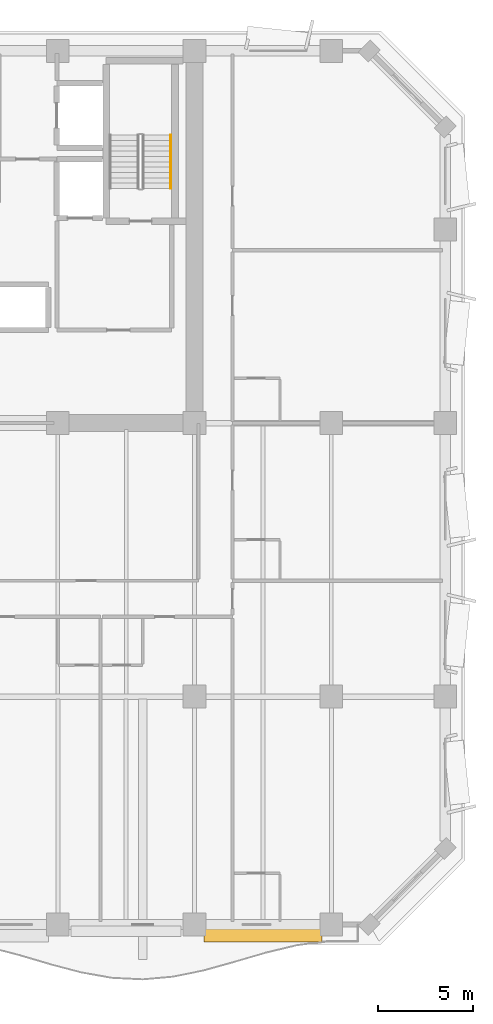
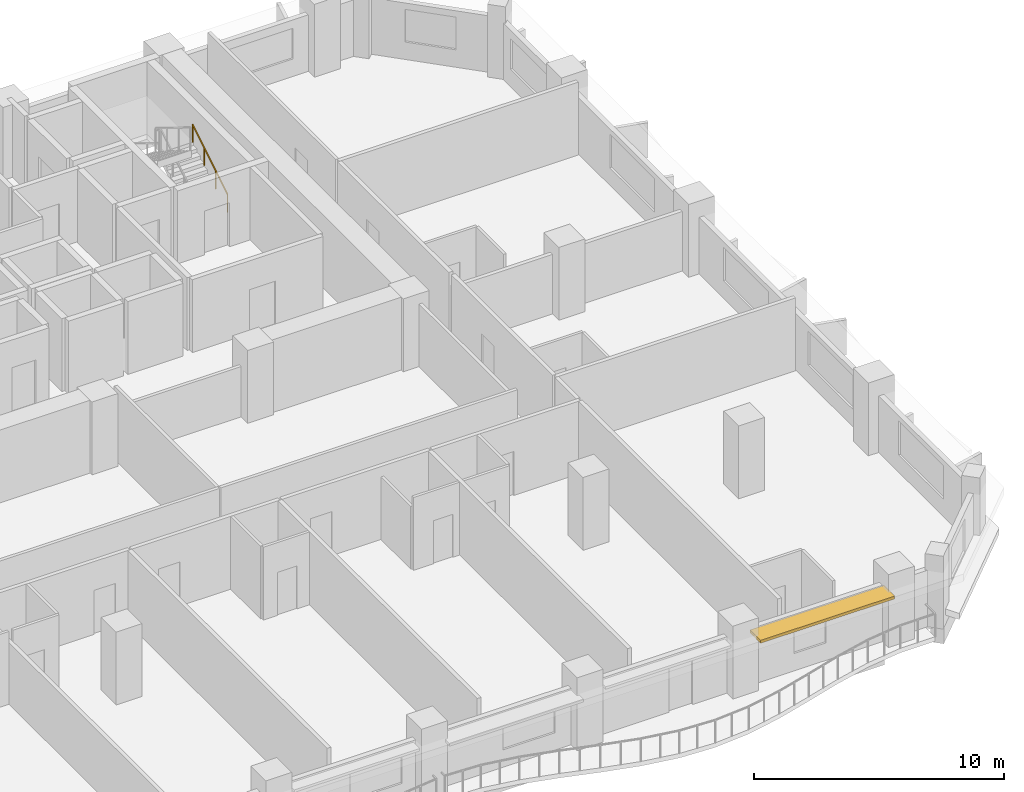
# One storey, part 14 of 14: 1 railing, 1 shading device.
"""IFC4 building model written with IfcOpenShell, lengths in metres."""

from ifc_helpers import new_model, si_unit, direction, frame, origin, origin_2d, place, context, subcontext, project, spatial, rectangle, extrude, material, layer, layer_set, type_object, element, save


model = new_model("IFC4")

# Units and contexts
model_context = context("Model", 3, precision=1e-05, world=origin(), true_north=direction((0.0, 1.0)))
body_context = subcontext(model_context, "Body", "Model", "MODEL_VIEW")
ifc_project = project(units=[si_unit("LENGTHUNIT", "METRE"), si_unit("AREAUNIT", "SQUARE_METRE"), si_unit("VOLUMEUNIT", "CUBIC_METRE"), si_unit("PLANEANGLEUNIT", "RADIAN"), si_unit("MASSUNIT", "GRAM", prefix="KILO")], contexts=[model_context])

# Site, building, storey
site_placement = place(None, origin())
site = spatial("IfcSite", under=ifc_project, at=site_placement, CompositionType="ELEMENT")
building_placement = place(site_placement, origin())
building = spatial("IfcBuilding", under=site, at=building_placement, Name="Kaelvorn Grand Hotel", CompositionType="ELEMENT")
storey_placement = place(building_placement, frame((0.0, 0.0, 165.75)))
storey = spatial("IfcBuildingStorey", under=building, at=storey_placement, Name="L40", CompositionType="ELEMENT", Elevation=165.75)

# Railing
ifc_material_1 = material(Name="Stainless Steel", Category="steel")
railing_type = type_object("IfcRailingType", Name="RL-HANDRAIL-900", PredefinedType="HANDRAIL", material=ifc_material_1)
railing_placement = place(storey_placement, frame((66.550048828125, 41.760009765625, 0.172607421875)))
element("IfcRailing", 1, at=railing_placement, inside=storey, type_object=railing_type, Name="L40 ST3 stair handrail 1", PredefinedType="HANDRAIL", context=body_context, shape_type="SweptSolid", body=[
    extrude(rectangle(XDim=0.048095703125, YDim=0.048095703125, at=origin_2d()), frame((0.0, 0.0, 0.8759765625), z_axis=(0.0, 0.851089632645, 0.525020415988), x_axis=(-1.0, 0.0, 0.0)), (0.0, 0.0, 1.0), 3.2900390625),
    extrude(rectangle(XDim=0.0419921875, YDim=0.0419921875, at=origin_2d()), origin(), (0.0, 0.0, 1.0), 0.851806640625),
    extrude(rectangle(XDim=0.0419921875, YDim=0.0419921875, at=origin_2d()), frame((0.0, 0.933349609375, 0.57568359375)), (0.0, 0.0, 1.0), 0.851806640625),
    extrude(rectangle(XDim=0.0419921875, YDim=0.0419921875, at=origin_2d()), frame((0.0, 1.86669921875, 1.151611328125)), (0.0, 0.0, 1.0), 0.851806640625),
    extrude(rectangle(XDim=0.0419921875, YDim=0.0419921875, at=origin_2d()), frame((0.0, 2.800048828125, 1.727294921875)), (0.0, 0.0, 1.0), 0.851806640625),
])

# Shading device
ifc_material_2 = material(Name="Precast concrete C45/55", Category="concrete")
ifc_layer = layer(ifc_material_2, 0.139892578125)
ifc_layer_set = layer_set([ifc_layer], Name="Precast concrete C45/55")
shading_device_type = type_object("IfcShadingDeviceType", Name="SHD-SUNSHADE-850", PredefinedType="USERDEFINED", material=ifc_layer_set)
shading_device_placement = place(storey_placement, frame((71.39990234375, 2.4951171875, 2.55029296875), z_axis=(0.0, 0.0, 1.0), x_axis=(1.0, 0.0, 0.0)))
element("IfcShadingDevice", 2, at=shading_device_placement, inside=storey, type_object=shading_device_type, Name="L40 Horizontal Concrete Sunshade Band SS-10", ObjectType="SUNSHADE", PredefinedType="USERDEFINED", context=body_context, shape_type="SweptSolid", body=[
    extrude(rectangle(XDim=6.199951171875, YDim=0.85009765625, at=origin_2d()), origin(), (0.0, 0.0, 1.0), 0.139892578125),
])

save(model, "model.ifc")
